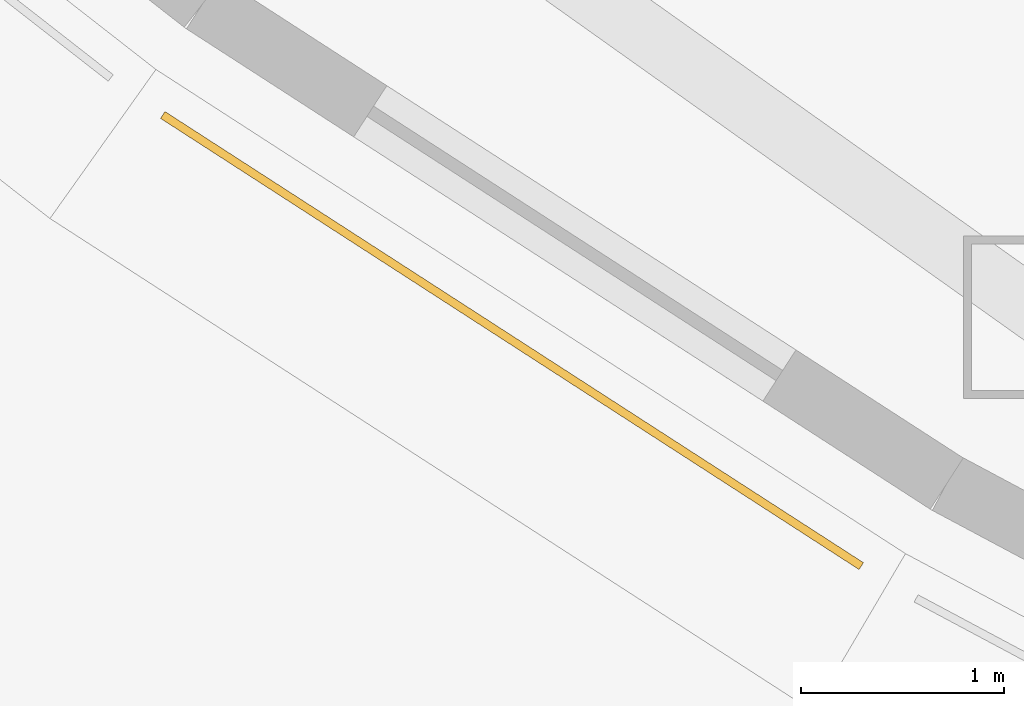
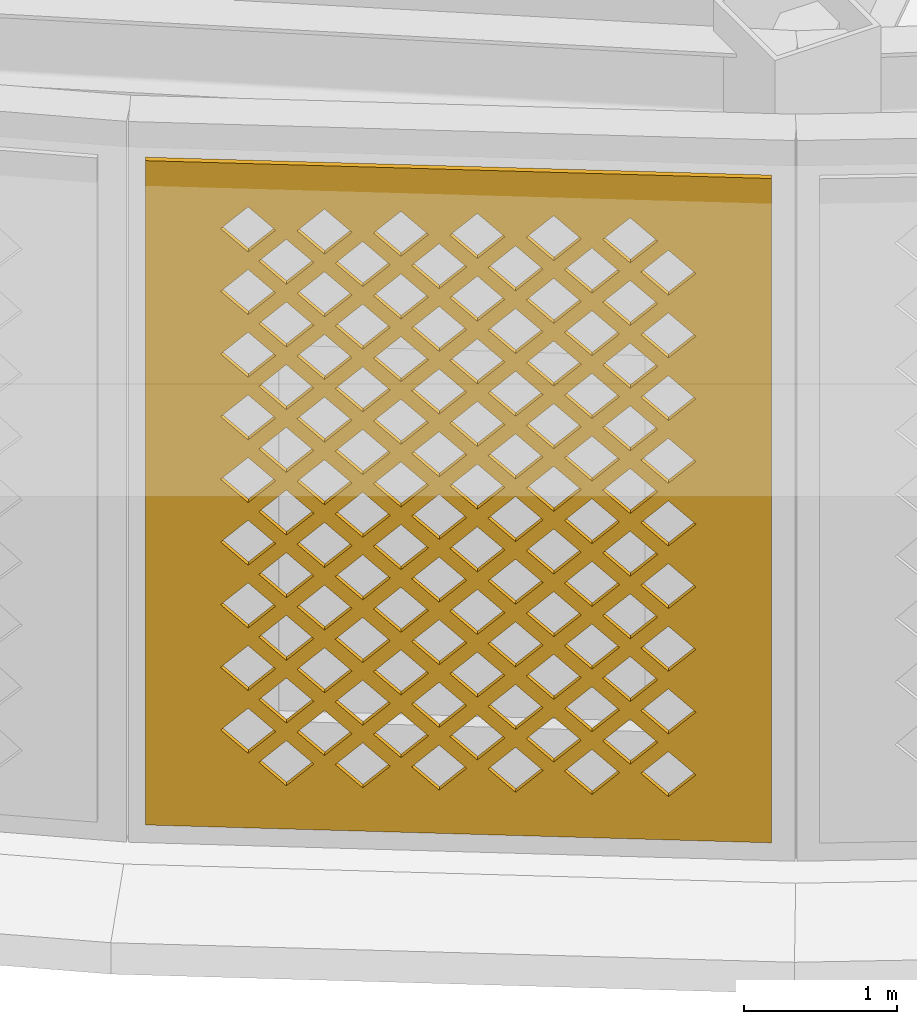
# One storey, part 35 of 74: 1 covering.
"""IFC4 building model written with IfcOpenShell, lengths in metres."""

from ifc_helpers import new_model, si_unit, direction, frame, origin, place, context, subcontext, project, spatial, polyline, outline, extrude, material, layer, layer_set, type_object, element, save


model = new_model("IFC4")

# Units and contexts
model_context = context("Model", 3, precision=1e-05, world=origin(), true_north=direction((0.0, 1.0)))
body_context = subcontext(model_context, "Body", "Model", "MODEL_VIEW")
ifc_project = project(units=[si_unit("LENGTHUNIT", "METRE"), si_unit("AREAUNIT", "SQUARE_METRE"), si_unit("VOLUMEUNIT", "CUBIC_METRE"), si_unit("PLANEANGLEUNIT", "RADIAN"), si_unit("MASSUNIT", "GRAM", prefix="KILO")], contexts=[model_context])

# Site, building, storey
site_placement = place(None, origin())
site = spatial("IfcSite", under=ifc_project, at=site_placement, CompositionType="ELEMENT")
building_placement = place(site_placement, origin())
building = spatial("IfcBuilding", under=site, at=building_placement, Name="Noorbagh Ring Tower", CompositionType="ELEMENT")
storey_placement = place(building_placement, frame((0.0, 0.0, 7.5)))
storey = spatial("IfcBuildingStorey", under=building, at=storey_placement, Name="L01", CompositionType="ELEMENT", Elevation=7.5)

# Covering
ifc_material = material(Name="Red sandstone jali", Category="masonry")
ifc_layer = layer(ifc_material, 0.0400390625)
ifc_layer_set = layer_set([ifc_layer], Name="Red sandstone jali")
covering_type = type_object("IfcCoveringType", Name="STY-JALI", PredefinedType="USERDEFINED", material=ifc_layer_set)
covering_placement = place(storey_placement, frame((-35.224853515625, -29.6494140625, 0.449951171875), z_axis=(-0.542524555296, -0.840039943634, 0.0), x_axis=(0.840039943634, -0.542524555296, 0.0)))
element("IfcCovering", 1, at=covering_placement, inside=storey, type_object=covering_type, Name="Jali screen", ObjectType="SCREEN", PredefinedType="USERDEFINED", context=body_context, shape_type="SweptSolid", body=[
    extrude(outline(polyline([(0.0, 0.0), (4.096435546875, 0.0), (4.096435546875, 5.300048828125), (0.0, 5.300048828125), (0.0, 0.0)]), holes=[polyline([(0.7431640625, 0.52490234375), (0.923095703125, 0.344970703125), (1.103271484375, 0.52490234375), (0.923095703125, 0.705078125), (0.7431640625, 0.52490234375)]), polyline([(1.2431640625, 0.52490234375), (1.423095703125, 0.344970703125), (1.603271484375, 0.52490234375), (1.423095703125, 0.705078125), (1.2431640625, 0.52490234375)]), polyline([(1.7431640625, 0.52490234375), (1.923095703125, 0.344970703125), (2.103271484375, 0.52490234375), (1.923095703125, 0.705078125), (1.7431640625, 0.52490234375)]), polyline([(2.2431640625, 0.52490234375), (2.423095703125, 0.344970703125), (2.603271484375, 0.52490234375), (2.423095703125, 0.705078125), (2.2431640625, 0.52490234375)]), polyline([(2.7431640625, 0.52490234375), (2.923095703125, 0.344970703125), (3.103271484375, 0.52490234375), (2.923095703125, 0.705078125), (2.7431640625, 0.52490234375)]), polyline([(3.2431640625, 0.52490234375), (3.423095703125, 0.344970703125), (3.603271484375, 0.52490234375), (3.423095703125, 0.705078125), (3.2431640625, 0.52490234375)]), polyline([(0.4931640625, 0.77490234375), (0.673095703125, 0.594970703125), (0.853271484375, 0.77490234375), (0.673095703125, 0.955078125), (0.4931640625, 0.77490234375)]), polyline([(0.9931640625, 0.77490234375), (1.173095703125, 0.594970703125), (1.353271484375, 0.77490234375), (1.173095703125, 0.955078125), (0.9931640625, 0.77490234375)]), polyline([(1.4931640625, 0.77490234375), (1.673095703125, 0.594970703125), (1.853271484375, 0.77490234375), (1.673095703125, 0.955078125), (1.4931640625, 0.77490234375)]), polyline([(1.9931640625, 0.77490234375), (2.173095703125, 0.594970703125), (2.353271484375, 0.77490234375), (2.173095703125, 0.955078125), (1.9931640625, 0.77490234375)]), polyline([(2.4931640625, 0.77490234375), (2.673095703125, 0.594970703125), (2.853271484375, 0.77490234375), (2.673095703125, 0.955078125), (2.4931640625, 0.77490234375)]), polyline([(2.9931640625, 0.77490234375), (3.173095703125, 0.594970703125), (3.353271484375, 0.77490234375), (3.173095703125, 0.955078125), (2.9931640625, 0.77490234375)]), polyline([(0.7431640625, 1.02490234375), (0.923095703125, 0.844970703125), (1.103271484375, 1.02490234375), (0.923095703125, 1.205078125), (0.7431640625, 1.02490234375)]), polyline([(1.2431640625, 1.02490234375), (1.423095703125, 0.844970703125), (1.603271484375, 1.02490234375), (1.423095703125, 1.205078125), (1.2431640625, 1.02490234375)]), polyline([(1.7431640625, 1.02490234375), (1.923095703125, 0.844970703125), (2.103271484375, 1.02490234375), (1.923095703125, 1.205078125), (1.7431640625, 1.02490234375)]), polyline([(2.2431640625, 1.02490234375), (2.423095703125, 0.844970703125), (2.603271484375, 1.02490234375), (2.423095703125, 1.205078125), (2.2431640625, 1.02490234375)]), polyline([(2.7431640625, 1.02490234375), (2.923095703125, 0.844970703125), (3.103271484375, 1.02490234375), (2.923095703125, 1.205078125), (2.7431640625, 1.02490234375)]), polyline([(3.2431640625, 1.02490234375), (3.423095703125, 0.844970703125), (3.603271484375, 1.02490234375), (3.423095703125, 1.205078125), (3.2431640625, 1.02490234375)]), polyline([(0.4931640625, 1.27490234375), (0.673095703125, 1.094970703125), (0.853271484375, 1.27490234375), (0.673095703125, 1.455078125), (0.4931640625, 1.27490234375)]), polyline([(0.9931640625, 1.27490234375), (1.173095703125, 1.094970703125), (1.353271484375, 1.27490234375), (1.173095703125, 1.455078125), (0.9931640625, 1.27490234375)]), polyline([(1.4931640625, 1.27490234375), (1.673095703125, 1.094970703125), (1.853271484375, 1.27490234375), (1.673095703125, 1.455078125), (1.4931640625, 1.27490234375)]), polyline([(1.9931640625, 1.27490234375), (2.173095703125, 1.094970703125), (2.353271484375, 1.27490234375), (2.173095703125, 1.455078125), (1.9931640625, 1.27490234375)]), polyline([(2.4931640625, 1.27490234375), (2.673095703125, 1.094970703125), (2.853271484375, 1.27490234375), (2.673095703125, 1.455078125), (2.4931640625, 1.27490234375)]), polyline([(2.9931640625, 1.27490234375), (3.173095703125, 1.094970703125), (3.353271484375, 1.27490234375), (3.173095703125, 1.455078125), (2.9931640625, 1.27490234375)]), polyline([(0.7431640625, 1.52490234375), (0.923095703125, 1.344970703125), (1.103271484375, 1.52490234375), (0.923095703125, 1.705078125), (0.7431640625, 1.52490234375)]), polyline([(1.2431640625, 1.52490234375), (1.423095703125, 1.344970703125), (1.603271484375, 1.52490234375), (1.423095703125, 1.705078125), (1.2431640625, 1.52490234375)]), polyline([(1.7431640625, 1.52490234375), (1.923095703125, 1.344970703125), (2.103271484375, 1.52490234375), (1.923095703125, 1.705078125), (1.7431640625, 1.52490234375)]), polyline([(2.2431640625, 1.52490234375), (2.423095703125, 1.344970703125), (2.603271484375, 1.52490234375), (2.423095703125, 1.705078125), (2.2431640625, 1.52490234375)]), polyline([(2.7431640625, 1.52490234375), (2.923095703125, 1.344970703125), (3.103271484375, 1.52490234375), (2.923095703125, 1.705078125), (2.7431640625, 1.52490234375)]), polyline([(3.2431640625, 1.52490234375), (3.423095703125, 1.344970703125), (3.603271484375, 1.52490234375), (3.423095703125, 1.705078125), (3.2431640625, 1.52490234375)]), polyline([(0.4931640625, 1.77490234375), (0.673095703125, 1.594970703125), (0.853271484375, 1.77490234375), (0.673095703125, 1.955078125), (0.4931640625, 1.77490234375)]), polyline([(0.9931640625, 1.77490234375), (1.173095703125, 1.594970703125), (1.353271484375, 1.77490234375), (1.173095703125, 1.955078125), (0.9931640625, 1.77490234375)]), polyline([(1.4931640625, 1.77490234375), (1.673095703125, 1.594970703125), (1.853271484375, 1.77490234375), (1.673095703125, 1.955078125), (1.4931640625, 1.77490234375)]), polyline([(1.9931640625, 1.77490234375), (2.173095703125, 1.594970703125), (2.353271484375, 1.77490234375), (2.173095703125, 1.955078125), (1.9931640625, 1.77490234375)]), polyline([(2.4931640625, 1.77490234375), (2.673095703125, 1.594970703125), (2.853271484375, 1.77490234375), (2.673095703125, 1.955078125), (2.4931640625, 1.77490234375)]), polyline([(2.9931640625, 1.77490234375), (3.173095703125, 1.594970703125), (3.353271484375, 1.77490234375), (3.173095703125, 1.955078125), (2.9931640625, 1.77490234375)]), polyline([(0.7431640625, 2.02490234375), (0.923095703125, 1.844970703125), (1.103271484375, 2.02490234375), (0.923095703125, 2.205078125), (0.7431640625, 2.02490234375)]), polyline([(1.2431640625, 2.02490234375), (1.423095703125, 1.844970703125), (1.603271484375, 2.02490234375), (1.423095703125, 2.205078125), (1.2431640625, 2.02490234375)]), polyline([(1.7431640625, 2.02490234375), (1.923095703125, 1.844970703125), (2.103271484375, 2.02490234375), (1.923095703125, 2.205078125), (1.7431640625, 2.02490234375)]), polyline([(2.2431640625, 2.02490234375), (2.423095703125, 1.844970703125), (2.603271484375, 2.02490234375), (2.423095703125, 2.205078125), (2.2431640625, 2.02490234375)]), polyline([(2.7431640625, 2.02490234375), (2.923095703125, 1.844970703125), (3.103271484375, 2.02490234375), (2.923095703125, 2.205078125), (2.7431640625, 2.02490234375)]), polyline([(3.2431640625, 2.02490234375), (3.423095703125, 1.844970703125), (3.603271484375, 2.02490234375), (3.423095703125, 2.205078125), (3.2431640625, 2.02490234375)]), polyline([(0.4931640625, 2.27490234375), (0.673095703125, 2.094970703125), (0.853271484375, 2.27490234375), (0.673095703125, 2.455078125), (0.4931640625, 2.27490234375)]), polyline([(0.9931640625, 2.27490234375), (1.173095703125, 2.094970703125), (1.353271484375, 2.27490234375), (1.173095703125, 2.455078125), (0.9931640625, 2.27490234375)]), polyline([(1.4931640625, 2.27490234375), (1.673095703125, 2.094970703125), (1.853271484375, 2.27490234375), (1.673095703125, 2.455078125), (1.4931640625, 2.27490234375)]), polyline([(1.9931640625, 2.27490234375), (2.173095703125, 2.094970703125), (2.353271484375, 2.27490234375), (2.173095703125, 2.455078125), (1.9931640625, 2.27490234375)]), polyline([(2.4931640625, 2.27490234375), (2.673095703125, 2.094970703125), (2.853271484375, 2.27490234375), (2.673095703125, 2.455078125), (2.4931640625, 2.27490234375)]), polyline([(2.9931640625, 2.27490234375), (3.173095703125, 2.094970703125), (3.353271484375, 2.27490234375), (3.173095703125, 2.455078125), (2.9931640625, 2.27490234375)]), polyline([(0.7431640625, 2.52490234375), (0.923095703125, 2.344970703125), (1.103271484375, 2.52490234375), (0.923095703125, 2.705078125), (0.7431640625, 2.52490234375)]), polyline([(1.2431640625, 2.52490234375), (1.423095703125, 2.344970703125), (1.603271484375, 2.52490234375), (1.423095703125, 2.705078125), (1.2431640625, 2.52490234375)]), polyline([(1.7431640625, 2.52490234375), (1.923095703125, 2.344970703125), (2.103271484375, 2.52490234375), (1.923095703125, 2.705078125), (1.7431640625, 2.52490234375)]), polyline([(2.2431640625, 2.52490234375), (2.423095703125, 2.344970703125), (2.603271484375, 2.52490234375), (2.423095703125, 2.705078125), (2.2431640625, 2.52490234375)]), polyline([(2.7431640625, 2.52490234375), (2.923095703125, 2.344970703125), (3.103271484375, 2.52490234375), (2.923095703125, 2.705078125), (2.7431640625, 2.52490234375)]), polyline([(3.2431640625, 2.52490234375), (3.423095703125, 2.344970703125), (3.603271484375, 2.52490234375), (3.423095703125, 2.705078125), (3.2431640625, 2.52490234375)]), polyline([(0.4931640625, 2.77490234375), (0.673095703125, 2.594970703125), (0.853271484375, 2.77490234375), (0.673095703125, 2.955078125), (0.4931640625, 2.77490234375)]), polyline([(0.9931640625, 2.77490234375), (1.173095703125, 2.594970703125), (1.353271484375, 2.77490234375), (1.173095703125, 2.955078125), (0.9931640625, 2.77490234375)]), polyline([(1.4931640625, 2.77490234375), (1.673095703125, 2.594970703125), (1.853271484375, 2.77490234375), (1.673095703125, 2.955078125), (1.4931640625, 2.77490234375)]), polyline([(1.9931640625, 2.77490234375), (2.173095703125, 2.594970703125), (2.353271484375, 2.77490234375), (2.173095703125, 2.955078125), (1.9931640625, 2.77490234375)]), polyline([(2.4931640625, 2.77490234375), (2.673095703125, 2.594970703125), (2.853271484375, 2.77490234375), (2.673095703125, 2.955078125), (2.4931640625, 2.77490234375)]), polyline([(2.9931640625, 2.77490234375), (3.173095703125, 2.594970703125), (3.353271484375, 2.77490234375), (3.173095703125, 2.955078125), (2.9931640625, 2.77490234375)]), polyline([(0.7431640625, 3.02490234375), (0.923095703125, 2.844970703125), (1.103271484375, 3.02490234375), (0.923095703125, 3.205078125), (0.7431640625, 3.02490234375)]), polyline([(1.2431640625, 3.02490234375), (1.423095703125, 2.844970703125), (1.603271484375, 3.02490234375), (1.423095703125, 3.205078125), (1.2431640625, 3.02490234375)]), polyline([(1.7431640625, 3.02490234375), (1.923095703125, 2.844970703125), (2.103271484375, 3.02490234375), (1.923095703125, 3.205078125), (1.7431640625, 3.02490234375)]), polyline([(2.2431640625, 3.02490234375), (2.423095703125, 2.844970703125), (2.603271484375, 3.02490234375), (2.423095703125, 3.205078125), (2.2431640625, 3.02490234375)]), polyline([(2.7431640625, 3.02490234375), (2.923095703125, 2.844970703125), (3.103271484375, 3.02490234375), (2.923095703125, 3.205078125), (2.7431640625, 3.02490234375)]), polyline([(3.2431640625, 3.02490234375), (3.423095703125, 2.844970703125), (3.603271484375, 3.02490234375), (3.423095703125, 3.205078125), (3.2431640625, 3.02490234375)]), polyline([(0.4931640625, 3.27490234375), (0.673095703125, 3.094970703125), (0.853271484375, 3.27490234375), (0.673095703125, 3.455078125), (0.4931640625, 3.27490234375)]), polyline([(0.9931640625, 3.27490234375), (1.173095703125, 3.094970703125), (1.353271484375, 3.27490234375), (1.173095703125, 3.455078125), (0.9931640625, 3.27490234375)]), polyline([(1.4931640625, 3.27490234375), (1.673095703125, 3.094970703125), (1.853271484375, 3.27490234375), (1.673095703125, 3.455078125), (1.4931640625, 3.27490234375)]), polyline([(1.9931640625, 3.27490234375), (2.173095703125, 3.094970703125), (2.353271484375, 3.27490234375), (2.173095703125, 3.455078125), (1.9931640625, 3.27490234375)]), polyline([(2.4931640625, 3.27490234375), (2.673095703125, 3.094970703125), (2.853271484375, 3.27490234375), (2.673095703125, 3.455078125), (2.4931640625, 3.27490234375)]), polyline([(2.9931640625, 3.27490234375), (3.173095703125, 3.094970703125), (3.353271484375, 3.27490234375), (3.173095703125, 3.455078125), (2.9931640625, 3.27490234375)]), polyline([(0.7431640625, 3.52490234375), (0.923095703125, 3.344970703125), (1.103271484375, 3.52490234375), (0.923095703125, 3.705078125), (0.7431640625, 3.52490234375)]), polyline([(1.2431640625, 3.52490234375), (1.423095703125, 3.344970703125), (1.603271484375, 3.52490234375), (1.423095703125, 3.705078125), (1.2431640625, 3.52490234375)]), polyline([(1.7431640625, 3.52490234375), (1.923095703125, 3.344970703125), (2.103271484375, 3.52490234375), (1.923095703125, 3.705078125), (1.7431640625, 3.52490234375)]), polyline([(2.2431640625, 3.52490234375), (2.423095703125, 3.344970703125), (2.603271484375, 3.52490234375), (2.423095703125, 3.705078125), (2.2431640625, 3.52490234375)]), polyline([(2.7431640625, 3.52490234375), (2.923095703125, 3.344970703125), (3.103271484375, 3.52490234375), (2.923095703125, 3.705078125), (2.7431640625, 3.52490234375)]), polyline([(3.2431640625, 3.52490234375), (3.423095703125, 3.344970703125), (3.603271484375, 3.52490234375), (3.423095703125, 3.705078125), (3.2431640625, 3.52490234375)]), polyline([(0.4931640625, 3.77490234375), (0.673095703125, 3.594970703125), (0.853271484375, 3.77490234375), (0.673095703125, 3.955078125), (0.4931640625, 3.77490234375)]), polyline([(0.9931640625, 3.77490234375), (1.173095703125, 3.594970703125), (1.353271484375, 3.77490234375), (1.173095703125, 3.955078125), (0.9931640625, 3.77490234375)]), polyline([(1.4931640625, 3.77490234375), (1.673095703125, 3.594970703125), (1.853271484375, 3.77490234375), (1.673095703125, 3.955078125), (1.4931640625, 3.77490234375)]), polyline([(1.9931640625, 3.77490234375), (2.173095703125, 3.594970703125), (2.353271484375, 3.77490234375), (2.173095703125, 3.955078125), (1.9931640625, 3.77490234375)]), polyline([(2.4931640625, 3.77490234375), (2.673095703125, 3.594970703125), (2.853271484375, 3.77490234375), (2.673095703125, 3.955078125), (2.4931640625, 3.77490234375)]), polyline([(2.9931640625, 3.77490234375), (3.173095703125, 3.594970703125), (3.353271484375, 3.77490234375), (3.173095703125, 3.955078125), (2.9931640625, 3.77490234375)]), polyline([(0.7431640625, 4.02490234375), (0.923095703125, 3.844970703125), (1.103271484375, 4.02490234375), (0.923095703125, 4.205078125), (0.7431640625, 4.02490234375)]), polyline([(1.2431640625, 4.02490234375), (1.423095703125, 3.844970703125), (1.603271484375, 4.02490234375), (1.423095703125, 4.205078125), (1.2431640625, 4.02490234375)]), polyline([(1.7431640625, 4.02490234375), (1.923095703125, 3.844970703125), (2.103271484375, 4.02490234375), (1.923095703125, 4.205078125), (1.7431640625, 4.02490234375)]), polyline([(2.2431640625, 4.02490234375), (2.423095703125, 3.844970703125), (2.603271484375, 4.02490234375), (2.423095703125, 4.205078125), (2.2431640625, 4.02490234375)]), polyline([(2.7431640625, 4.02490234375), (2.923095703125, 3.844970703125), (3.103271484375, 4.02490234375), (2.923095703125, 4.205078125), (2.7431640625, 4.02490234375)]), polyline([(3.2431640625, 4.02490234375), (3.423095703125, 3.844970703125), (3.603271484375, 4.02490234375), (3.423095703125, 4.205078125), (3.2431640625, 4.02490234375)]), polyline([(0.4931640625, 4.27490234375), (0.673095703125, 4.094970703125), (0.853271484375, 4.27490234375), (0.673095703125, 4.455078125), (0.4931640625, 4.27490234375)]), polyline([(0.9931640625, 4.27490234375), (1.173095703125, 4.094970703125), (1.353271484375, 4.27490234375), (1.173095703125, 4.455078125), (0.9931640625, 4.27490234375)]), polyline([(1.4931640625, 4.27490234375), (1.673095703125, 4.094970703125), (1.853271484375, 4.27490234375), (1.673095703125, 4.455078125), (1.4931640625, 4.27490234375)]), polyline([(1.9931640625, 4.27490234375), (2.173095703125, 4.094970703125), (2.353271484375, 4.27490234375), (2.173095703125, 4.455078125), (1.9931640625, 4.27490234375)]), polyline([(2.4931640625, 4.27490234375), (2.673095703125, 4.094970703125), (2.853271484375, 4.27490234375), (2.673095703125, 4.455078125), (2.4931640625, 4.27490234375)]), polyline([(2.9931640625, 4.27490234375), (3.173095703125, 4.094970703125), (3.353271484375, 4.27490234375), (3.173095703125, 4.455078125), (2.9931640625, 4.27490234375)]), polyline([(0.7431640625, 4.52490234375), (0.923095703125, 4.344970703125), (1.103271484375, 4.52490234375), (0.923095703125, 4.705078125), (0.7431640625, 4.52490234375)]), polyline([(1.2431640625, 4.52490234375), (1.423095703125, 4.344970703125), (1.603271484375, 4.52490234375), (1.423095703125, 4.705078125), (1.2431640625, 4.52490234375)]), polyline([(1.7431640625, 4.52490234375), (1.923095703125, 4.344970703125), (2.103271484375, 4.52490234375), (1.923095703125, 4.705078125), (1.7431640625, 4.52490234375)]), polyline([(2.2431640625, 4.52490234375), (2.423095703125, 4.344970703125), (2.603271484375, 4.52490234375), (2.423095703125, 4.705078125), (2.2431640625, 4.52490234375)]), polyline([(2.7431640625, 4.52490234375), (2.923095703125, 4.344970703125), (3.103271484375, 4.52490234375), (2.923095703125, 4.705078125), (2.7431640625, 4.52490234375)]), polyline([(3.2431640625, 4.52490234375), (3.423095703125, 4.344970703125), (3.603271484375, 4.52490234375), (3.423095703125, 4.705078125), (3.2431640625, 4.52490234375)]), polyline([(0.4931640625, 4.77490234375), (0.673095703125, 4.594970703125), (0.853271484375, 4.77490234375), (0.673095703125, 4.955078125), (0.4931640625, 4.77490234375)]), polyline([(0.9931640625, 4.77490234375), (1.173095703125, 4.594970703125), (1.353271484375, 4.77490234375), (1.173095703125, 4.955078125), (0.9931640625, 4.77490234375)]), polyline([(1.4931640625, 4.77490234375), (1.673095703125, 4.594970703125), (1.853271484375, 4.77490234375), (1.673095703125, 4.955078125), (1.4931640625, 4.77490234375)]), polyline([(1.9931640625, 4.77490234375), (2.173095703125, 4.594970703125), (2.353271484375, 4.77490234375), (2.173095703125, 4.955078125), (1.9931640625, 4.77490234375)]), polyline([(2.4931640625, 4.77490234375), (2.673095703125, 4.594970703125), (2.853271484375, 4.77490234375), (2.673095703125, 4.955078125), (2.4931640625, 4.77490234375)]), polyline([(2.9931640625, 4.77490234375), (3.173095703125, 4.594970703125), (3.353271484375, 4.77490234375), (3.173095703125, 4.955078125), (2.9931640625, 4.77490234375)])]), origin(), (0.0, 0.0, -1.0), 0.0400390625),
])

save(model, "model.ifc")
